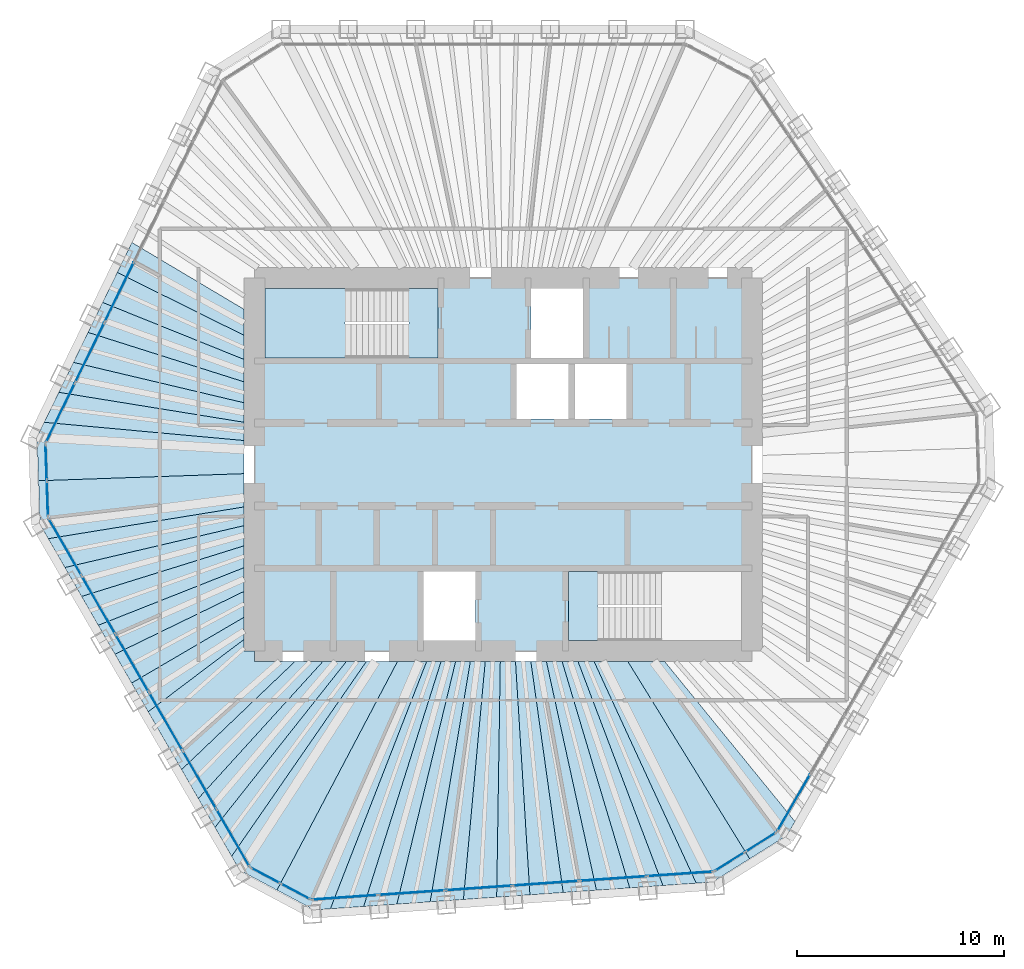
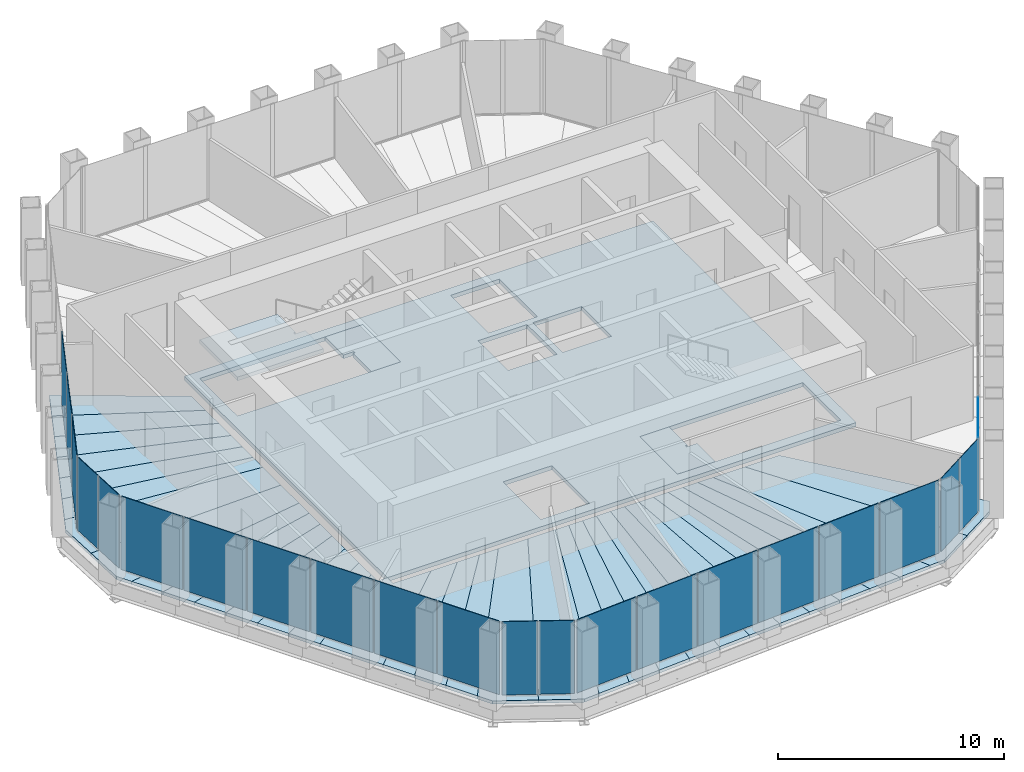
# One storey, part 9 of 14: 37 slabs, 22 plates, 9 elements without a shape of their own.
"""IFC4 building model written with IfcOpenShell, lengths in metres."""

import ifcopenshell
import ifcopenshell.guid

model = None  # the IFC model being written
_history = None  # IfcOwnerHistory: only IFC2X3 demands one
_inside = {}  # id of a spatial element -> (the spatial element, [elements in it])
_under = {}  # id of a project, library or spatial element -> (it, [spatial elements below it])
_declared = {}  # id of a project -> (the project, [libraries it declares])
_typed = {}  # id of a type object -> (the type object, [elements of that type])
_made_of = {}  # id of a material, layer set ... -> (it, [elements and type objects made of it])


def new_model(schema):
    """Start an empty IFC model of exactly this schema.

    Asked for "IFC4X3", IfcOpenShell would pick the latest addendum, in which some entities
    have other attributes; the version numbers below select the first issue.
    IFC2X3 requires an IfcOwnerHistory on every rooted entity: one is made here for all.
    """
    global model, _history
    if schema == "IFC4X3":
        model = ifcopenshell.file(schema_version=(4, 3, 0, 0))
    else:
        model = ifcopenshell.file(schema=schema)
    _inside.clear()
    _under.clear()
    _declared.clear()
    _typed.clear()
    _made_of.clear()
    _history = None
    if model.schema == "IFC2X3":
        org = make("IfcOrganization", Name="unknown")
        user = make(
            "IfcPersonAndOrganization",
            ThePerson=make("IfcPerson", FamilyName="unknown"),
            TheOrganization=org,
        )
        app = make(
            "IfcApplication",
            ApplicationDeveloper=org,
            Version="unknown",
            ApplicationFullName="unknown",
            ApplicationIdentifier="unknown",
        )
        _history = make(
            "IfcOwnerHistory",
            OwningUser=user,
            OwningApplication=app,
            ChangeAction="ADDED",
            CreationDate=0,
        )
    return model


def make(cls, **values):
    """One entity of the class cls with the attributes given. An attribute that is None is left unset."""
    return model.create_entity(
        cls, **{name: value for name, value in values.items() if value is not None}
    )


def rooted(cls, **values):
    """An entity with a GlobalId (a new one), such as an element, a storey or a relation."""
    return make(cls, GlobalId=ifcopenshell.guid.new(), OwnerHistory=_history, **values)


def si_unit(unit_type, name, prefix=None):
    """IfcSIUnit, for example si_unit("LENGTHUNIT", "METRE", prefix="MILLI")."""
    return make("IfcSIUnit", UnitType=unit_type, Prefix=prefix, Name=name)


def assignment(units):
    """IfcUnitAssignment: the units of a project."""
    return None if units is None else make("IfcUnitAssignment", Units=units)


def point(xyz):
    """IfcCartesianPoint."""
    return None if xyz is None else make("IfcCartesianPoint", Coordinates=xyz)


def direction(xyz):
    """IfcDirection."""
    return None if xyz is None else make("IfcDirection", DirectionRatios=xyz)


def frame(location, z_axis=None, x_axis=None):
    """IfcAxis2Placement3D, a coordinate frame: its origin and axes. An axis left out is left unset."""
    return make(
        "IfcAxis2Placement3D",
        Location=point(location),
        Axis=direction(z_axis),
        RefDirection=direction(x_axis),
    )


def frame_2d(location, x_axis=None):
    """IfcAxis2Placement2D, a coordinate frame in the plane: its origin and x axis."""
    return make(
        "IfcAxis2Placement2D", Location=point(location), RefDirection=direction(x_axis)
    )


def origin():
    """The frame at (0, 0, 0) with its axes left unset."""
    return frame((0.0, 0.0, 0.0))


def origin_2d():
    """The frame at (0, 0) in the plane with its x axis left unset."""
    return frame_2d((0.0, 0.0))


def place(relative_to, where):
    """IfcLocalPlacement: puts the frame where relative to a parent placement (None: the world)."""
    return make(
        "IfcLocalPlacement", PlacementRelTo=relative_to, RelativePlacement=where
    )


def context(
    kind, dimensions, precision=None, world=None, true_north=None, identifier=None
):
    """IfcGeometricRepresentationContext, for example the 3D "Model" context."""
    return make(
        "IfcGeometricRepresentationContext",
        ContextIdentifier=identifier,
        ContextType=kind,
        CoordinateSpaceDimension=dimensions,
        Precision=precision,
        WorldCoordinateSystem=world,
        TrueNorth=true_north,
    )


def subcontext(parent, identifier, kind, view, scale=None):
    """IfcGeometricRepresentationSubContext, for example "Body" below "Model"."""
    return make(
        "IfcGeometricRepresentationSubContext",
        ContextIdentifier=identifier,
        ContextType=kind,
        ParentContext=parent,
        TargetScale=scale,
        TargetView=view,
    )


def project(units=None, contexts=None):
    """IfcProject with its units and contexts."""
    return rooted(
        "IfcProject",
        Name="project",
        RepresentationContexts=contexts,
        UnitsInContext=assignment(units),
    )


def spatial(cls, under=None, at=None, **own):
    """A site, building, storey or space (cls), placed at a placement, below another one or the project."""
    s = rooted(cls, ObjectPlacement=at, **own)
    if under is not None:
        _under.setdefault(under.id(), (under, []))[1].append(s)
    return s


def polyline(points):
    """IfcPolyline through the points."""
    return make("IfcPolyline", Points=[point(p) for p in points])


def profile(cls, at=None, kind="AREA", **sizes):
    """A parametric profile (cls). Its sizes go by their IFC names, for example OverallWidth=200.0."""
    return make(cls, ProfileType=kind, Position=at, **sizes)


def rectangle(**sizes):
    """IfcRectangleProfileDef."""
    return profile("IfcRectangleProfileDef", **sizes)


def outline(outer, holes=None, kind="AREA"):
    """IfcArbitraryClosedProfileDef: a profile drawn as a closed curve; with holes, ...WithVoids."""
    if holes is None:
        return make("IfcArbitraryClosedProfileDef", ProfileType=kind, OuterCurve=outer)
    return make(
        "IfcArbitraryProfileDefWithVoids",
        ProfileType=kind,
        OuterCurve=outer,
        InnerCurves=holes,
    )


def extrude(swept, where, along, depth):
    """IfcExtrudedAreaSolid: the profile swept, set in the frame where, extruded along a direction by depth."""
    return make(
        "IfcExtrudedAreaSolid",
        SweptArea=swept,
        Position=where,
        ExtrudedDirection=direction(along),
        Depth=depth,
    )


def shape(context_of_items, identifier, shape_type, items):
    """IfcShapeRepresentation: the items that make up one representation, for example the "Body"."""
    return make(
        "IfcShapeRepresentation",
        ContextOfItems=context_of_items,
        RepresentationIdentifier=identifier,
        RepresentationType=shape_type,
        Items=items,
    )


def material(Name=None, Category=None):
    """IfcMaterial."""
    return make("IfcMaterial", Name=Name, Category=Category)


def layer(
    of_material, thickness, ventilated=None, Name=None, Category=None, Priority=None
):
    """IfcMaterialLayer: one layer of a wall or slab, of a material (None: an air gap)."""
    return make(
        "IfcMaterialLayer",
        Material=of_material,
        LayerThickness=thickness,
        IsVentilated=ventilated,
        Name=Name,
        Category=Category,
        Priority=Priority,
    )


def layer_set(layers, Name=None):
    """IfcMaterialLayerSet."""
    return make("IfcMaterialLayerSet", MaterialLayers=layers, LayerSetName=Name)


def made_of(thing, what):
    """Note that an element or type object is made of a material, layer set ...; save() writes the relation."""
    if what is not None:
        _made_of.setdefault(what.id(), (what, []))[1].append(thing)
    return thing


def type_object(cls, material=None, **own):
    """A type object (cls), such as IfcWallType, which elements share."""
    return made_of(rooted(cls, **own), material)


def element(
    cls,
    number,
    at=None,
    inside=None,
    cuts=None,
    type_object=None,
    material=None,
    context=None,
    identifier="Body",
    shape_type=None,
    held_by="IfcProductDefinitionShape",
    body=None,
    shapes=None,
    **own,
):
    """One element of the class cls, such as IfcWall. Its Tag is "e" and its number.

    at: its placement. inside: the storey or other place that contains it. cuts: it is an
    opening in that element (IfcRelVoidsElement). A single representation is given by context,
    identifier, shape_type and body (its items); several are given by shapes. held_by: the class
    of the entity that holds the representations. save() writes the other relations.
    """
    e = rooted(cls, Tag="e%d" % number, ObjectPlacement=at, **own)
    if body is not None:
        shapes = [shape(context, identifier, shape_type, body)]
    if shapes is not None:
        e.Representation = make(held_by, Representations=shapes)
    if inside is not None:
        _inside.setdefault(inside.id(), (inside, []))[1].append(e)
    if cuts is not None:
        rooted(
            "IfcRelVoidsElement", RelatingBuildingElement=cuts, RelatedOpeningElement=e
        )
    if type_object is not None:
        _typed.setdefault(type_object.id(), (type_object, []))[1].append(e)
    return made_of(e, material)


def aggregate(whole, parts):
    """IfcRelAggregates: a whole, such as a stair, and the parts it consists of."""
    return rooted("IfcRelAggregates", RelatingObject=whole, RelatedObjects=parts)


def save(model, path):
    """Write the relations noted so far, then the file.

    IfcRelAggregates (storeys below a building ...), IfcRelContainedInSpatialStructure (elements
    in a storey), IfcRelDefinesByType, IfcRelAssociatesMaterial and IfcRelDeclares: one each for
    every whole, place, type object, material and project.
    """
    for whole, parts in _under.values():
        aggregate(whole, parts)
    for where, things in _inside.values():
        rooted(
            "IfcRelContainedInSpatialStructure",
            RelatedElements=things,
            RelatingStructure=where,
        )
    for kind, things in _typed.values():
        rooted("IfcRelDefinesByType", RelatedObjects=things, RelatingType=kind)
    for what, things in _made_of.values():
        rooted("IfcRelAssociatesMaterial", RelatedObjects=things, RelatingMaterial=what)
    for by, libraries in _declared.values():
        rooted("IfcRelDeclares", RelatingContext=by, RelatedDefinitions=libraries)
    model.write(path)


model = new_model("IFC4")

# Units and contexts
model_context = context("Model", 3, precision=1e-05, world=origin(), true_north=direction((0.0, 1.0)))
body_context = subcontext(model_context, "Body", "Model", "MODEL_VIEW")
ifc_project = project(units=[si_unit("LENGTHUNIT", "METRE"), si_unit("AREAUNIT", "SQUARE_METRE"), si_unit("VOLUMEUNIT", "CUBIC_METRE"), si_unit("PLANEANGLEUNIT", "RADIAN"), si_unit("MASSUNIT", "GRAM", prefix="KILO")], contexts=[model_context])

# Site, building, storey
site_placement = place(None, origin())
site = spatial("IfcSite", under=ifc_project, at=site_placement, CompositionType="ELEMENT")
building_placement = place(site_placement, origin())
building = spatial("IfcBuilding", under=site, at=building_placement, Name="Qingtian Harvest Tower", CompositionType="ELEMENT")
storey_placement = place(building_placement, frame((0.0, 0.0, 283.0)))
storey = spatial("IfcBuildingStorey", under=building, at=storey_placement, Name="L62", CompositionType="ELEMENT", Elevation=283.0)

# Slabs
ifc_material_1 = material(Name="Concrete fc' 35 MPa", Category="concrete")
ifc_layer_1 = layer(ifc_material_1, 0.169921875)
ifc_layer_set_1 = layer_set([ifc_layer_1], Name="Composite floor slab FS17 170")
slab_type_1 = type_object("IfcSlabType", Name="Composite floor slab FS17 170", PredefinedType="FLOOR", material=ifc_layer_set_1)
slab_1_placement = place(storey_placement, frame((0.0, 0.0, -0.169921875)))
element("IfcSlab", 1, at=slab_1_placement, inside=storey, type_object=slab_type_1, Name="Floor slab L62 panel D01", PredefinedType="FLOOR", context=body_context, shape_type="SweptSolid", body=[
    extrude(outline(polyline([(-22.422607421875, -0.783203125), (-12.5, -0.4404296875), (-12.5, -2.044921875), (-21.95751953125, -3.578369140625), (-22.348876953125, -2.90087890625), (-22.422607421875, -0.783203125)])), origin(), (0.0, 0.0, 1.0), 0.169921875),
])
slab_2_placement = place(storey_placement, frame((0.0, 0.0, -0.169921875)))
element("IfcSlab", 2, at=slab_2_placement, inside=storey, type_object=slab_type_1, Name="Floor slab L62 panel D02", PredefinedType="FLOOR", context=body_context, shape_type="SweptSolid", body=[
    extrude(outline(polyline([(-12.5, -2.94677734375), (-21.153076171875, -4.9716796875), (-21.95751953125, -3.578369140625), (-12.5, -2.044921875), (-12.5, -2.94677734375)])), origin(), (0.0, 0.0, 1.0), 0.169921875),
])
slab_3_placement = place(storey_placement, frame((0.0, 0.0, -0.169921875)))
element("IfcSlab", 3, at=slab_3_placement, inside=storey, type_object=slab_type_1, Name="Floor slab L62 panel D03", PredefinedType="FLOOR", context=body_context, shape_type="SweptSolid", body=[
    extrude(outline(polyline([(-12.5, -3.919921875), (-20.3486328125, -6.365234375), (-21.153076171875, -4.9716796875), (-12.5, -2.94677734375), (-12.5, -3.919921875)])), origin(), (0.0, 0.0, 1.0), 0.169921875),
])
slab_4_placement = place(storey_placement, frame((0.0, 0.0, -0.169921875)))
element("IfcSlab", 4, at=slab_4_placement, inside=storey, type_object=slab_type_1, Name="Floor slab L62 panel D04", PredefinedType="FLOOR", context=body_context, shape_type="SweptSolid", body=[
    extrude(outline(polyline([(-12.5, -4.973388671875), (-19.544189453125, -7.758544921875), (-20.3486328125, -6.365234375), (-12.5, -3.919921875), (-12.5, -4.973388671875)])), origin(), (0.0, 0.0, 1.0), 0.169921875),
])
slab_5_placement = place(storey_placement, frame((0.0, 0.0, -0.169921875)))
element("IfcSlab", 5, at=slab_5_placement, inside=storey, type_object=slab_type_1, Name="Floor slab L62 panel D05", PredefinedType="FLOOR", context=body_context, shape_type="SweptSolid", body=[
    extrude(outline(polyline([(-12.5, -6.1171875), (-18.73974609375, -9.15185546875), (-19.544189453125, -7.758544921875), (-12.5, -4.973388671875), (-12.5, -6.1171875)])), origin(), (0.0, 0.0, 1.0), 0.169921875),
])
slab_6_placement = place(storey_placement, frame((0.0, 0.0, -0.169921875)))
element("IfcSlab", 6, at=slab_6_placement, inside=storey, type_object=slab_type_1, Name="Floor slab L62 panel D06", PredefinedType="FLOOR", context=body_context, shape_type="SweptSolid", body=[
    extrude(outline(polyline([(-12.5, -7.364013671875), (-17.93505859375, -10.54541015625), (-18.73974609375, -9.15185546875), (-12.5, -6.1171875), (-12.5, -7.364013671875)])), origin(), (0.0, 0.0, 1.0), 0.169921875),
])
slab_7_placement = place(storey_placement, frame((0.0, 0.0, -0.169921875)))
element("IfcSlab", 7, at=slab_7_placement, inside=storey, type_object=slab_type_1, Name="Floor slab L62 panel D07", PredefinedType="FLOOR", context=body_context, shape_type="SweptSolid", body=[
    extrude(outline(polyline([(-12.5, -8.432373046875), (-17.134521484375, -11.931884765625), (-17.93505859375, -10.54541015625), (-12.5, -7.364013671875), (-12.5, -8.432373046875)])), origin(), (0.0, 0.0, 1.0), 0.169921875),
])
slab_8_placement = place(storey_placement, frame((0.0, 0.0, -0.169921875)))
element("IfcSlab", 8, at=slab_8_placement, inside=storey, type_object=slab_type_1, Name="Floor slab L62 panel D09", PredefinedType="FLOOR", context=body_context, shape_type="SweptSolid", body=[
    extrude(outline(polyline([(-15.522216796875, -14.724609375), (-17.134521484375, -11.931884765625), (-12.5, -8.432373046875), (-12.5, -9.0), (-12.0, -9.0), (-12.0, -9.5), (-10.048828125, -9.5), (-15.522216796875, -14.724609375)])), origin(), (0.0, 0.0, 1.0), 0.169921875),
])
slab_9_placement = place(storey_placement, frame((0.0, 0.0, -0.169921875)))
element("IfcSlab", 9, at=slab_9_placement, inside=storey, type_object=slab_type_1, Name="Floor slab L62 panel D10", PredefinedType="FLOOR", context=body_context, shape_type="SweptSolid", body=[
    extrude(outline(polyline([(-8.70068359375, -9.5), (-14.7177734375, -16.1181640625), (-15.522216796875, -14.724609375), (-10.048828125, -9.5), (-8.70068359375, -9.5)])), origin(), (0.0, 0.0, 1.0), 0.169921875),
])
slab_10_placement = place(storey_placement, frame((0.0, 0.0, -0.169921875)))
element("IfcSlab", 10, at=slab_10_placement, inside=storey, type_object=slab_type_1, Name="Floor slab L62 panel D11", PredefinedType="FLOOR", context=body_context, shape_type="SweptSolid", body=[
    extrude(outline(polyline([(-7.568359375, -9.5), (-13.9130859375, -17.51171875), (-14.7177734375, -16.1181640625), (-8.70068359375, -9.5), (-7.568359375, -9.5)])), origin(), (0.0, 0.0, 1.0), 0.169921875),
])
slab_11_placement = place(storey_placement, frame((0.0, 0.0, -0.169921875)))
element("IfcSlab", 11, at=slab_11_placement, inside=storey, type_object=slab_type_1, Name="Floor slab L62 panel D12", PredefinedType="FLOOR", context=body_context, shape_type="SweptSolid", body=[
    extrude(outline(polyline([(-6.603515625, -9.5), (-13.108642578125, -18.905029296875), (-13.9130859375, -17.51171875), (-7.568359375, -9.5), (-6.603515625, -9.5)])), origin(), (0.0, 0.0, 1.0), 0.169921875),
])
slab_12_placement = place(storey_placement, frame((0.0, 0.0, -0.169921875)))
element("IfcSlab", 12, at=slab_12_placement, inside=storey, type_object=slab_type_1, Name="Floor slab L62 panel D13", PredefinedType="FLOOR", context=body_context, shape_type="SweptSolid", body=[
    extrude(outline(polyline([(-6.603515625, -9.5), (-5.10009765625, -9.5), (-10.921142578125, -20.537841796875), (-12.717529296875, -19.582763671875), (-13.108642578125, -18.905029296875), (-6.603515625, -9.5)])), origin(), (0.0, 0.0, 1.0), 0.169921875),
])
slab_13_placement = place(storey_placement, frame((0.0, 0.0, -0.169921875)))
element("IfcSlab", 13, at=slab_13_placement, inside=storey, type_object=slab_type_1, Name="Floor slab L62 panel D14", PredefinedType="FLOOR", context=body_context, shape_type="SweptSolid", body=[
    extrude(outline(polyline([(-5.10009765625, -9.5), (-3.696044921875, -9.5), (-8.343017578125, -21.439208984375), (-9.123291015625, -21.49365234375), (-10.921142578125, -20.537841796875), (-5.10009765625, -9.5)])), origin(), (0.0, 0.0, 1.0), 0.169921875),
])
slab_14_placement = place(storey_placement, frame((0.0, 0.0, -0.169921875)))
element("IfcSlab", 14, at=slab_14_placement, inside=storey, type_object=slab_type_1, Name="Floor slab L62 panel D15", PredefinedType="FLOOR", context=body_context, shape_type="SweptSolid", body=[
    extrude(outline(polyline([(-3.00048828125, -9.5), (-6.738037109375, -21.326904296875), (-8.343017578125, -21.439208984375), (-3.696044921875, -9.5), (-3.00048828125, -9.5)])), origin(), (0.0, 0.0, 1.0), 0.169921875),
])
slab_15_placement = place(storey_placement, frame((0.0, 0.0, -0.169921875)))
element("IfcSlab", 15, at=slab_15_placement, inside=storey, type_object=slab_type_1, Name="Floor slab L62 panel D16", PredefinedType="FLOOR", context=body_context, shape_type="SweptSolid", body=[
    extrude(outline(polyline([(-2.297607421875, -9.5), (-5.133056640625, -21.21484375), (-6.738037109375, -21.326904296875), (-3.00048828125, -9.5), (-2.297607421875, -9.5)])), origin(), (0.0, 0.0, 1.0), 0.169921875),
])
slab_16_placement = place(storey_placement, frame((0.0, 0.0, -0.169921875)))
element("IfcSlab", 16, at=slab_16_placement, inside=storey, type_object=slab_type_1, Name="Floor slab L62 panel D17", PredefinedType="FLOOR", context=body_context, shape_type="SweptSolid", body=[
    extrude(outline(polyline([(-1.58740234375, -9.5), (-3.528076171875, -21.1025390625), (-5.133056640625, -21.21484375), (-2.297607421875, -9.5), (-1.58740234375, -9.5)])), origin(), (0.0, 0.0, 1.0), 0.169921875),
])
slab_17_placement = place(storey_placement, frame((0.0, 0.0, -0.169921875)))
element("IfcSlab", 17, at=slab_17_placement, inside=storey, type_object=slab_type_1, Name="Floor slab L62 panel D18", PredefinedType="FLOOR", context=body_context, shape_type="SweptSolid", body=[
    extrude(outline(polyline([(-0.869384765625, -9.5), (-1.9228515625, -20.990234375), (-3.528076171875, -21.1025390625), (-1.58740234375, -9.5), (-0.869384765625, -9.5)])), origin(), (0.0, 0.0, 1.0), 0.169921875),
])
slab_18_placement = place(storey_placement, frame((0.0, 0.0, -0.169921875)))
element("IfcSlab", 18, at=slab_18_placement, inside=storey, type_object=slab_type_1, Name="Floor slab L62 panel D19", PredefinedType="FLOOR", context=body_context, shape_type="SweptSolid", body=[
    extrude(outline(polyline([(-0.143798828125, -9.5), (-0.31787109375, -20.8779296875), (-1.9228515625, -20.990234375), (-0.869384765625, -9.5), (-0.143798828125, -9.5)])), origin(), (0.0, 0.0, 1.0), 0.169921875),
])
slab_19_placement = place(storey_placement, frame((0.0, 0.0, -0.169921875)))
element("IfcSlab", 19, at=slab_19_placement, inside=storey, type_object=slab_type_1, Name="Floor slab L62 panel D20", PredefinedType="FLOOR", context=body_context, shape_type="SweptSolid", body=[
    extrude(outline(polyline([(0.58984375, -9.5), (1.287109375, -20.765869140625), (-0.31787109375, -20.8779296875), (-0.143798828125, -9.5), (0.58984375, -9.5)])), origin(), (0.0, 0.0, 1.0), 0.169921875),
])
slab_20_placement = place(storey_placement, frame((0.0, 0.0, -0.169921875)))
element("IfcSlab", 20, at=slab_20_placement, inside=storey, type_object=slab_type_1, Name="Floor slab L62 panel D21", PredefinedType="FLOOR", context=body_context, shape_type="SweptSolid", body=[
    extrude(outline(polyline([(1.331298828125, -9.5), (2.89208984375, -20.653564453125), (1.287109375, -20.765869140625), (0.58984375, -9.5), (1.331298828125, -9.5)])), origin(), (0.0, 0.0, 1.0), 0.169921875),
])
slab_21_placement = place(storey_placement, frame((0.0, 0.0, -0.169921875)))
element("IfcSlab", 21, at=slab_21_placement, inside=storey, type_object=slab_type_1, Name="Floor slab L62 panel D22", PredefinedType="FLOOR", context=body_context, shape_type="SweptSolid", body=[
    extrude(outline(polyline([(2.080810546875, -9.5), (4.4970703125, -20.541259765625), (2.89208984375, -20.653564453125), (1.331298828125, -9.5), (2.080810546875, -9.5)])), origin(), (0.0, 0.0, 1.0), 0.169921875),
])
slab_22_placement = place(storey_placement, frame((0.0, 0.0, -0.169921875)))
element("IfcSlab", 22, at=slab_22_placement, inside=storey, type_object=slab_type_1, Name="Floor slab L62 panel D23", PredefinedType="FLOOR", context=body_context, shape_type="SweptSolid", body=[
    extrude(outline(polyline([(2.838623046875, -9.5), (6.10205078125, -20.42919921875), (4.4970703125, -20.541259765625), (2.080810546875, -9.5), (2.838623046875, -9.5)])), origin(), (0.0, 0.0, 1.0), 0.169921875),
])
slab_23_placement = place(storey_placement, frame((0.0, 0.0, -0.169921875)))
element("IfcSlab", 23, at=slab_23_placement, inside=storey, type_object=slab_type_1, Name="Floor slab L62 panel D24", PredefinedType="FLOOR", context=body_context, shape_type="SweptSolid", body=[
    extrude(outline(polyline([(3.604736328125, -9.5), (7.70703125, -20.31689453125), (6.10205078125, -20.42919921875), (2.838623046875, -9.5), (3.604736328125, -9.5)])), origin(), (0.0, 0.0, 1.0), 0.169921875),
])
slab_24_placement = place(storey_placement, frame((0.0, 0.0, -0.169921875)))
element("IfcSlab", 24, at=slab_24_placement, inside=storey, type_object=slab_type_1, Name="Floor slab L62 panel D25", PredefinedType="FLOOR", context=body_context, shape_type="SweptSolid", body=[
    extrude(outline(polyline([(4.379638671875, -9.5), (9.312255859375, -20.20458984375), (7.70703125, -20.31689453125), (3.604736328125, -9.5), (4.379638671875, -9.5)])), origin(), (0.0, 0.0, 1.0), 0.169921875),
])
slab_25_placement = place(storey_placement, frame((0.0, 0.0, -0.169921875)))
element("IfcSlab", 25, at=slab_25_placement, inside=storey, type_object=slab_type_1, Name="Floor slab L62 panel D26", PredefinedType="FLOOR", context=body_context, shape_type="SweptSolid", body=[
    extrude(outline(polyline([(4.379638671875, -9.5), (6.0087890625, -9.5), (11.890380859375, -19.026611328125), (10.09228515625, -20.150146484375), (9.312255859375, -20.20458984375), (4.379638671875, -9.5)])), origin(), (0.0, 0.0, 1.0), 0.169921875),
])
slab_26_placement = place(storey_placement, frame((0.0, 0.0, -0.169921875)))
element("IfcSlab", 26, at=slab_26_placement, inside=storey, type_object=slab_type_1, Name="Floor slab L62 panel D27", PredefinedType="FLOOR", context=body_context, shape_type="SweptSolid", body=[
    extrude(outline(polyline([(6.0087890625, -9.5), (7.78515625, -9.5), (14.077880859375, -17.2265625), (13.6865234375, -17.904296875), (11.890380859375, -19.026611328125), (6.0087890625, -9.5)])), origin(), (0.0, 0.0, 1.0), 0.169921875),
])
slab_27_placement = place(storey_placement, frame((0.0, 0.0, -0.169921875)))
element("IfcSlab", 27, at=slab_27_placement, inside=storey, type_object=slab_type_1, Name="Floor slab L62 panel D72", PredefinedType="FLOOR", context=body_context, shape_type="SweptSolid", body=[
    extrude(outline(polyline([(-12.5, 6.23095703125), (-18.627197265625, 9.2685546875), (-17.921875, 10.714599609375), (-12.5, 7.48583984375), (-12.5, 6.23095703125)])), origin(), (0.0, 0.0, 1.0), 0.169921875),
])
slab_28_placement = place(storey_placement, frame((0.0, 0.0, -0.169921875)))
element("IfcSlab", 28, at=slab_28_placement, inside=storey, type_object=slab_type_1, Name="Floor slab L62 panel D73", PredefinedType="FLOOR", context=body_context, shape_type="SweptSolid", body=[
    extrude(outline(polyline([(-12.5, 5.06787109375), (-19.33251953125, 7.822509765625), (-18.627197265625, 9.2685546875), (-12.5, 6.23095703125), (-12.5, 5.06787109375)])), origin(), (0.0, 0.0, 1.0), 0.169921875),
])
slab_29_placement = place(storey_placement, frame((0.0, 0.0, -0.169921875)))
element("IfcSlab", 29, at=slab_29_placement, inside=storey, type_object=slab_type_1, Name="Floor slab L62 panel D74", PredefinedType="FLOOR", context=body_context, shape_type="SweptSolid", body=[
    extrude(outline(polyline([(-12.5, 3.986572265625), (-20.037841796875, 6.376220703125), (-19.33251953125, 7.822509765625), (-12.5, 5.06787109375), (-12.5, 3.986572265625)])), origin(), (0.0, 0.0, 1.0), 0.169921875),
])
slab_30_placement = place(storey_placement, frame((0.0, 0.0, -0.169921875)))
element("IfcSlab", 30, at=slab_30_placement, inside=storey, type_object=slab_type_1, Name="Floor slab L62 panel D75", PredefinedType="FLOOR", context=body_context, shape_type="SweptSolid", body=[
    extrude(outline(polyline([(-12.5, 2.97900390625), (-20.7431640625, 4.93017578125), (-20.037841796875, 6.376220703125), (-12.5, 3.986572265625), (-12.5, 2.97900390625)])), origin(), (0.0, 0.0, 1.0), 0.169921875),
])
slab_31_placement = place(storey_placement, frame((0.0, 0.0, -0.169921875)))
element("IfcSlab", 31, at=slab_31_placement, inside=storey, type_object=slab_type_1, Name="Floor slab L62 panel D76", PredefinedType="FLOOR", context=body_context, shape_type="SweptSolid", body=[
    extrude(outline(polyline([(-12.5, 2.037841796875), (-21.448486328125, 3.484130859375), (-20.7431640625, 4.93017578125), (-12.5, 2.97900390625), (-12.5, 2.037841796875)])), origin(), (0.0, 0.0, 1.0), 0.169921875),
])
slab_32_placement = place(storey_placement, frame((0.0, 0.0, -0.169921875)))
element("IfcSlab", 32, at=slab_32_placement, inside=storey, type_object=slab_type_1, Name="Floor slab L62 panel D77", PredefinedType="FLOOR", context=body_context, shape_type="SweptSolid", body=[
    extrude(outline(polyline([(-12.5, 1.156494140625), (-22.15380859375, 2.037841796875), (-21.448486328125, 3.484130859375), (-12.5, 2.037841796875), (-12.5, 1.156494140625)])), origin(), (0.0, 0.0, 1.0), 0.169921875),
])
slab_33_placement = place(storey_placement, frame((0.0, 0.0, -0.169921875)))
element("IfcSlab", 33, at=slab_33_placement, inside=storey, type_object=slab_type_1, Name="Floor slab L62 panel D78", PredefinedType="FLOOR", context=body_context, shape_type="SweptSolid", body=[
    extrude(outline(polyline([(-12.5, 1.156494140625), (-12.5, -0.4404296875), (-22.422607421875, -0.783203125), (-22.49658203125, 1.334716796875), (-22.15380859375, 2.037841796875), (-12.5, 1.156494140625)])), origin(), (0.0, 0.0, 1.0), 0.169921875),
])
ifc_material_2 = material(Name="Concrete fc' 35 MPa", Category="concrete")
ifc_layer_2 = layer(ifc_material_2, 0.219970703125)
ifc_layer_set_2 = layer_set([ifc_layer_2], Name="Core floor slab CS22 220")
slab_type_2 = type_object("IfcSlabType", Name="Core floor slab CS22 220", PredefinedType="FLOOR", material=ifc_layer_set_2)
slab_34_placement = place(storey_placement, frame((0.0, 0.0, -0.219970703125)))
element("IfcSlab", 34, at=slab_34_placement, inside=storey, type_object=slab_type_2, Name="Core floor slab L62", PredefinedType="FLOOR", context=body_context, shape_type="SweptSolid", body=[
    extrude(outline(polyline([(-12.0, -9.0), (12.0, -9.0), (12.0, 9.0), (-12.0, 9.0), (-12.0, -9.0)]), holes=[polyline([(-11.5, 5.14990234375), (-3.14990234375, 5.14990234375), (-3.14990234375, 8.5), (-11.5, 8.5), (-11.5, 5.14990234375)]), polyline([(3.14990234375, -8.5), (11.5, -8.5), (11.5, -5.14990234375), (3.14990234375, -5.14990234375), (3.14990234375, -8.5)]), polyline([(1.35009765625, 5.14990234375), (3.85009765625, 5.14990234375), (3.85009765625, 8.5), (1.35009765625, 8.5), (1.35009765625, 5.14990234375)]), polyline([(-3.85009765625, -8.5), (-1.35009765625, -8.5), (-1.35009765625, -5.14990234375), (-3.85009765625, -5.14990234375), (-3.85009765625, -8.5)]), polyline([(0.64990234375, 2.199951171875), (3.14990234375, 2.199951171875), (3.14990234375, 4.85009765625), (0.64990234375, 4.85009765625), (0.64990234375, 2.199951171875)]), polyline([(3.449951171875, 2.199951171875), (5.949951171875, 2.199951171875), (5.949951171875, 4.85009765625), (3.449951171875, 4.85009765625), (3.449951171875, 2.199951171875)])]), origin(), (0.0, 0.0, 1.0), 0.219970703125),
])

# Curtain wall, plate
ifc_material_3 = material(Name="Bronze-anodised aluminium curtain wall", Category="aluminium")
curtain_wall_type = type_object("IfcCurtainWallType", Name="Curtain wall CW5 upper office", PredefinedType="USERDEFINED", material=ifc_material_3)
curtain_wall_1_placement = place(storey_placement, origin())
curtain_wall_1 = element("IfcCurtainWall", 35, at=curtain_wall_1_placement, inside=storey, type_object=curtain_wall_type, Name="Curtain wall CW5 L62 SE0-5", ObjectType="RECESSED CURTAIN WALL", PredefinedType="USERDEFINED")
ifc_material_4 = material(Name="Bronze-tinted laminated insulating glass", Category="glass")
ifc_layer_3 = layer(ifc_material_4, 0.030029296875)
ifc_layer_set_3 = layer_set([ifc_layer_3], Name="Glazed panel CWP tinted IGU")
plate_type = type_object("IfcPlateType", Name="Glazed panel CWP tinted IGU", PredefinedType="CURTAIN_PANEL", material=ifc_layer_set_3)
plate_1_placement = place(storey_placement, frame((14.017578125, -16.321044921875, 0.06494140625), z_axis=(0.0, 0.0, 1.0), x_axis=(-0.5, -0.866025403784, 0.0)))
plate_1 = element("IfcPlate", 36, at=plate_1_placement, type_object=plate_type, Name="CW5 panel 6.1", PredefinedType="CURTAIN_PANEL", context=body_context, shape_type="SweptSolid", body=[
    extrude(rectangle(XDim=3.150634765625, YDim=0.030029296875, at=origin_2d()), origin(), (0.0, 0.0, 1.0), 3.965087890625),
])
aggregate(curtain_wall_1, [plate_1])

# Curtain wall, plates
curtain_wall_2_placement = place(storey_placement, origin())
curtain_wall_2 = element("IfcCurtainWall", 37, at=curtain_wall_2_placement, inside=storey, type_object=curtain_wall_type, Name="Curtain wall CW5 L62 SEC", ObjectType="RECESSED CURTAIN WALL", PredefinedType="USERDEFINED")
plate_2_placement = place(storey_placement, frame((12.42431640625, -18.224609375, 0.06494140625), z_axis=(0.0, 0.0, 1.0), x_axis=(-0.848048096156, -0.529919264233, 0.0)))
plate_2 = element("IfcPlate", 38, at=plate_2_placement, type_object=plate_type, Name="CW5 panel 1.1", PredefinedType="CURTAIN_PANEL", context=body_context, shape_type="SweptSolid", body=[
    extrude(rectangle(XDim=1.69287109375, YDim=0.030029296875, at=origin_2d()), origin(), (0.0, 0.0, 1.0), 3.965087890625),
])
plate_3_placement = place(storey_placement, frame((10.93359375, -19.156005859375, 0.06494140625), z_axis=(0.0, 0.0, 1.0), x_axis=(-0.848048096156, -0.529919264233, 0.0)))
plate_3 = element("IfcPlate", 39, at=plate_3_placement, type_object=plate_type, Name="CW5 panel 2.1", PredefinedType="CURTAIN_PANEL", context=body_context, shape_type="SweptSolid", body=[
    extrude(rectangle(XDim=1.69287109375, YDim=0.030029296875, at=origin_2d()), origin(), (0.0, 0.0, 1.0), 3.965087890625),
])
aggregate(curtain_wall_2, [plate_2, plate_3])

curtain_wall_3_placement = place(storey_placement, origin())
curtain_wall_3 = element("IfcCurtainWall", 40, at=curtain_wall_3_placement, inside=storey, type_object=curtain_wall_type, Name="Curtain wall CW5 L62 S0-5", ObjectType="RECESSED CURTAIN WALL", PredefinedType="USERDEFINED")
plate_4_placement = place(storey_placement, frame((8.5244140625, -19.75341796875, 0.06494140625), z_axis=(0.0, 0.0, 1.0), x_axis=(-0.99756405026, -0.069756473744, 0.0)))
plate_4 = element("IfcPlate", 41, at=plate_4_placement, type_object=plate_type, Name="CW5 panel 1.1", PredefinedType="CURTAIN_PANEL", context=body_context, shape_type="SweptSolid", body=[
    extrude(rectangle(XDim=3.150634765625, YDim=0.030029296875, at=origin_2d()), origin(), (0.0, 0.0, 1.0), 3.965087890625),
])
plate_5_placement = place(storey_placement, frame((5.300537109375, -19.97900390625, 0.06494140625), z_axis=(0.0, 0.0, 1.0), x_axis=(-0.99756405026, -0.069756473744, 0.0)))
plate_5 = element("IfcPlate", 42, at=plate_5_placement, type_object=plate_type, Name="CW5 panel 2.1", PredefinedType="CURTAIN_PANEL", context=body_context, shape_type="SweptSolid", body=[
    extrude(rectangle(XDim=3.18310546875, YDim=0.030029296875, at=origin_2d()), origin(), (0.0, 0.0, 1.0), 3.965087890625),
])
plate_6_placement = place(storey_placement, frame((2.060302734375, -20.20556640625, 0.06494140625), z_axis=(0.0, 0.0, 1.0), x_axis=(-0.99756405026, -0.069756473744, 0.0)))
plate_6 = element("IfcPlate", 43, at=plate_6_placement, type_object=plate_type, Name="CW5 panel 3.1", PredefinedType="CURTAIN_PANEL", context=body_context, shape_type="SweptSolid", body=[
    extrude(rectangle(XDim=3.18310546875, YDim=0.030029296875, at=origin_2d()), origin(), (0.0, 0.0, 1.0), 3.965087890625),
])
plate_7_placement = place(storey_placement, frame((-1.1796875, -20.43212890625, 0.06494140625), z_axis=(0.0, 0.0, 1.0), x_axis=(-0.99756405026, -0.069756473744, 0.0)))
plate_7 = element("IfcPlate", 44, at=plate_7_placement, type_object=plate_type, Name="CW5 panel 4.1", PredefinedType="CURTAIN_PANEL", context=body_context, shape_type="SweptSolid", body=[
    extrude(rectangle(XDim=3.18310546875, YDim=0.030029296875, at=origin_2d()), origin(), (0.0, 0.0, 1.0), 3.965087890625),
])
plate_8_placement = place(storey_placement, frame((-4.419921875, -20.65869140625, 0.06494140625), z_axis=(0.0, 0.0, 1.0), x_axis=(-0.99756405026, -0.069756473744, 0.0)))
plate_8 = element("IfcPlate", 45, at=plate_8_placement, type_object=plate_type, Name="CW5 panel 5.1", PredefinedType="CURTAIN_PANEL", context=body_context, shape_type="SweptSolid", body=[
    extrude(rectangle(XDim=3.18310546875, YDim=0.030029296875, at=origin_2d()), origin(), (0.0, 0.0, 1.0), 3.965087890625),
])
plate_9_placement = place(storey_placement, frame((-7.643798828125, -20.884033203125, 0.06494140625), z_axis=(0.0, 0.0, 1.0), x_axis=(-0.99756405026, -0.069756473744, 0.0)))
plate_9 = element("IfcPlate", 46, at=plate_9_placement, type_object=plate_type, Name="CW5 panel 6.1", PredefinedType="CURTAIN_PANEL", context=body_context, shape_type="SweptSolid", body=[
    extrude(rectangle(XDim=3.150634765625, YDim=0.030029296875, at=origin_2d()), origin(), (0.0, 0.0, 1.0), 3.965087890625),
])
aggregate(curtain_wall_3, [plate_4, plate_5, plate_6, plate_7, plate_8, plate_9])

curtain_wall_4_placement = place(storey_placement, origin())
curtain_wall_4 = element("IfcCurtainWall", 47, at=curtain_wall_4_placement, inside=storey, type_object=curtain_wall_type, Name="Curtain wall CW5 L62 SC", ObjectType="RECESSED CURTAIN WALL", PredefinedType="USERDEFINED")
plate_10_placement = place(storey_placement, frame((-10.029296875, -20.60009765625, 0.06494140625), z_axis=(0.0, 0.0, 1.0), x_axis=(-0.882947592859, 0.469471562786, 0.0)))
plate_10 = element("IfcPlate", 48, at=plate_10_placement, type_object=plate_type, Name="CW5 panel 1.1", PredefinedType="CURTAIN_PANEL", context=body_context, shape_type="SweptSolid", body=[
    extrude(rectangle(XDim=1.56689453125, YDim=0.030029296875, at=origin_2d()), origin(), (0.0, 0.0, 1.0), 3.965087890625),
])
plate_11_placement = place(storey_placement, frame((-11.469970703125, -19.833984375, 0.06494140625), z_axis=(0.0, 0.0, 1.0), x_axis=(-0.882947592859, 0.469471562786, 0.0)))
plate_11 = element("IfcPlate", 49, at=plate_11_placement, type_object=plate_type, Name="CW5 panel 2.1", PredefinedType="CURTAIN_PANEL", context=body_context, shape_type="SweptSolid", body=[
    extrude(rectangle(XDim=1.56689453125, YDim=0.030029296875, at=origin_2d()), origin(), (0.0, 0.0, 1.0), 3.965087890625),
])
aggregate(curtain_wall_4, [plate_10, plate_11])

curtain_wall_5_placement = place(storey_placement, origin())
curtain_wall_5 = element("IfcCurtainWall", 50, at=curtain_wall_5_placement, inside=storey, type_object=curtain_wall_type, Name="Curtain wall CW5 L62 SW0-5", ObjectType="RECESSED CURTAIN WALL", PredefinedType="USERDEFINED")
plate_12_placement = place(storey_placement, frame((-13.039306640625, -18.01513671875, 0.06494140625), z_axis=(0.0, 0.0, 1.0), x_axis=(-0.5, 0.866025403784, 0.0)))
plate_12 = element("IfcPlate", 51, at=plate_12_placement, type_object=plate_type, Name="CW5 panel 1.1", PredefinedType="CURTAIN_PANEL", context=body_context, shape_type="SweptSolid", body=[
    extrude(rectangle(XDim=3.150634765625, YDim=0.030029296875, at=origin_2d()), origin(), (0.0, 0.0, 1.0), 3.965087890625),
])
plate_13_placement = place(storey_placement, frame((-14.6552734375, -15.216552734375, 0.06494140625), z_axis=(0.0, 0.0, 1.0), x_axis=(-0.5, 0.866025403784, 0.0)))
plate_13 = element("IfcPlate", 52, at=plate_13_placement, type_object=plate_type, Name="CW5 panel 2.1", PredefinedType="CURTAIN_PANEL", context=body_context, shape_type="SweptSolid", body=[
    extrude(rectangle(XDim=3.18310546875, YDim=0.030029296875, at=origin_2d()), origin(), (0.0, 0.0, 1.0), 3.965087890625),
])
plate_14_placement = place(storey_placement, frame((-16.279296875, -12.403564453125, 0.06494140625), z_axis=(0.0, 0.0, 1.0), x_axis=(-0.5, 0.866025403784, 0.0)))
plate_14 = element("IfcPlate", 53, at=plate_14_placement, type_object=plate_type, Name="CW5 panel 3.1", PredefinedType="CURTAIN_PANEL", context=body_context, shape_type="SweptSolid", body=[
    extrude(rectangle(XDim=3.18310546875, YDim=0.030029296875, at=origin_2d()), origin(), (0.0, 0.0, 1.0), 3.965087890625),
])
plate_15_placement = place(storey_placement, frame((-17.9033203125, -9.590576171875, 0.06494140625), z_axis=(0.0, 0.0, 1.0), x_axis=(-0.5, 0.866025403784, 0.0)))
plate_15 = element("IfcPlate", 54, at=plate_15_placement, type_object=plate_type, Name="CW5 panel 4.1", PredefinedType="CURTAIN_PANEL", context=body_context, shape_type="SweptSolid", body=[
    extrude(rectangle(XDim=3.18310546875, YDim=0.030029296875, at=origin_2d()), origin(), (0.0, 0.0, 1.0), 3.965087890625),
])
plate_16_placement = place(storey_placement, frame((-19.52734375, -6.77783203125, 0.06494140625), z_axis=(0.0, 0.0, 1.0), x_axis=(-0.5, 0.866025403784, 0.0)))
plate_16 = element("IfcPlate", 55, at=plate_16_placement, type_object=plate_type, Name="CW5 panel 5.1", PredefinedType="CURTAIN_PANEL", context=body_context, shape_type="SweptSolid", body=[
    extrude(rectangle(XDim=3.18310546875, YDim=0.030029296875, at=origin_2d()), origin(), (0.0, 0.0, 1.0), 3.965087890625),
])
plate_17_placement = place(storey_placement, frame((-21.14306640625, -3.97900390625, 0.06494140625), z_axis=(0.0, 0.0, 1.0), x_axis=(-0.5, 0.866025403784, 0.0)))
plate_17 = element("IfcPlate", 56, at=plate_17_placement, type_object=plate_type, Name="CW5 panel 6.1", PredefinedType="CURTAIN_PANEL", context=body_context, shape_type="SweptSolid", body=[
    extrude(rectangle(XDim=3.150634765625, YDim=0.030029296875, at=origin_2d()), origin(), (0.0, 0.0, 1.0), 3.965087890625),
])
aggregate(curtain_wall_5, [plate_12, plate_13, plate_14, plate_15, plate_16, plate_17])

curtain_wall_6_placement = place(storey_placement, origin())
curtain_wall_6 = element("IfcCurtainWall", 57, at=curtain_wall_6_placement, inside=storey, type_object=curtain_wall_type, Name="Curtain wall CW5 L62 SWC", ObjectType="RECESSED CURTAIN WALL", PredefinedType="USERDEFINED")
plate_18_placement = place(storey_placement, frame((-21.9951171875, -1.647705078125, 0.06494140625), z_axis=(0.0, 0.0, 1.0), x_axis=(-0.034899496703, 0.999390827019, 0.0)))
plate_18 = element("IfcPlate", 58, at=plate_18_placement, type_object=plate_type, Name="CW5 panel 1.1", PredefinedType="CURTAIN_PANEL", context=body_context, shape_type="SweptSolid", body=[
    extrude(rectangle(XDim=1.69287109375, YDim=0.030029296875, at=origin_2d()), origin(), (0.0, 0.0, 1.0), 3.965087890625),
])
plate_19_placement = place(storey_placement, frame((-22.056396484375, 0.109375, 0.06494140625), z_axis=(0.0, 0.0, 1.0), x_axis=(-0.034899496703, 0.999390827019, 0.0)))
plate_19 = element("IfcPlate", 59, at=plate_19_placement, type_object=plate_type, Name="CW5 panel 2.1", PredefinedType="CURTAIN_PANEL", context=body_context, shape_type="SweptSolid", body=[
    extrude(rectangle(XDim=1.69287109375, YDim=0.030029296875, at=origin_2d()), origin(), (0.0, 0.0, 1.0), 3.965087890625),
])
aggregate(curtain_wall_6, [plate_18, plate_19])

curtain_wall_7_placement = place(storey_placement, origin())
curtain_wall_7 = element("IfcCurtainWall", 60, at=curtain_wall_7_placement, inside=storey, type_object=curtain_wall_type, Name="Curtain wall CW5 L62 NW0-5", ObjectType="RECESSED CURTAIN WALL", PredefinedType="USERDEFINED")
plate_20_placement = place(storey_placement, frame((-21.369140625, 2.494384765625, 0.06494140625), z_axis=(0.0, 0.0, 1.0), x_axis=(0.438371146789, 0.898794046299, 0.0)))
plate_20 = element("IfcPlate", 61, at=plate_20_placement, type_object=plate_type, Name="CW5 panel 1.1", PredefinedType="CURTAIN_PANEL", context=body_context, shape_type="SweptSolid", body=[
    extrude(rectangle(XDim=3.150634765625, YDim=0.030029296875, at=origin_2d()), origin(), (0.0, 0.0, 1.0), 3.965087890625),
])
plate_21_placement = place(storey_placement, frame((-19.952392578125, 5.399169921875, 0.06494140625), z_axis=(0.0, 0.0, 1.0), x_axis=(0.438371146789, 0.898794046299, 0.0)))
plate_21 = element("IfcPlate", 62, at=plate_21_placement, type_object=plate_type, Name="CW5 panel 2.1", PredefinedType="CURTAIN_PANEL", context=body_context, shape_type="SweptSolid", body=[
    extrude(rectangle(XDim=3.18310546875, YDim=0.030029296875, at=origin_2d()), origin(), (0.0, 0.0, 1.0), 3.965087890625),
])
plate_22_placement = place(storey_placement, frame((-18.528564453125, 8.318359375, 0.06494140625), z_axis=(0.0, 0.0, 1.0), x_axis=(0.438371146789, 0.898794046299, 0.0)))
plate_22 = element("IfcPlate", 63, at=plate_22_placement, type_object=plate_type, Name="CW5 panel 3.1", PredefinedType="CURTAIN_PANEL", context=body_context, shape_type="SweptSolid", body=[
    extrude(rectangle(XDim=3.18310546875, YDim=0.030029296875, at=origin_2d()), origin(), (0.0, 0.0, 1.0), 3.965087890625),
])
aggregate(curtain_wall_7, [plate_20, plate_21, plate_22])

# Stair, slabs
ifc_material_5 = material(Name="Concrete fc' 35 MPa", Category="concrete")
stair_type = type_object("IfcStairType", Name="Special stair ST6 4200", PredefinedType="HALF_TURN_STAIR", material=ifc_material_5)
stair_1_placement = place(storey_placement, origin())
stair_1 = element("IfcStair", 64, at=stair_1_placement, inside=storey, type_object=stair_type, Name="Special stair S1 L62", PredefinedType="HALF_TURN_STAIR")
ifc_material_6 = material(Name="Concrete fc' 35 MPa", Category="concrete")
ifc_layer_4 = layer(ifc_material_6, 0.199951171875)
ifc_layer_set_4 = layer_set([ifc_layer_4], Name="Stair landing SL2 200")
slab_type_3 = type_object("IfcSlabType", Name="Stair landing SL2 200", PredefinedType="LANDING", material=ifc_layer_set_4)
slab_35_placement = place(storey_placement, frame((0.0, 0.0, -0.199951171875)))
slab_35 = element("IfcSlab", 65, at=slab_35_placement, type_object=slab_type_3, Name="S1 landing 1", PredefinedType="LANDING", context=body_context, shape_type="SweptSolid", body=[
    extrude(outline(polyline([(-4.64990234375, 5.14990234375), (-4.64990234375, 6.77490234375), (-4.550048828125, 6.77490234375), (-4.550048828125, 6.875), (-5.0849609375, 6.875), (-5.0849609375, 8.5), (-3.14990234375, 8.5), (-3.14990234375, 5.14990234375), (-4.64990234375, 5.14990234375)])), origin(), (0.0, 0.0, 1.0), 0.199951171875),
])
slab_36_placement = place(storey_placement, frame((0.0, 0.0, 1.89990234375)))
slab_36 = element("IfcSlab", 66, at=slab_36_placement, type_object=slab_type_3, Name="S1 landing 2", PredefinedType="LANDING", context=body_context, shape_type="SweptSolid", body=[
    extrude(outline(polyline([(-7.094970703125, 5.14990234375), (-11.5, 5.14990234375), (-11.5, 8.5), (-7.530029296875, 8.5), (-7.530029296875, 6.875), (-7.6298828125, 6.875), (-7.6298828125, 6.77490234375), (-7.094970703125, 6.77490234375), (-7.094970703125, 5.14990234375)])), origin(), (0.0, 0.0, 1.0), 0.2001953125),
])
aggregate(stair_1, [slab_35, slab_36])

# Stair, slab
stair_2_placement = place(storey_placement, origin())
stair_2 = element("IfcStair", 67, at=stair_2_placement, inside=storey, type_object=stair_type, Name="Special stair S2 L62", PredefinedType="HALF_TURN_STAIR")
slab_37_placement = place(storey_placement, frame((0.0, 0.0, -0.199951171875)))
slab_37 = element("IfcSlab", 68, at=slab_37_placement, type_object=slab_type_3, Name="S2 landing 1", PredefinedType="LANDING", context=body_context, shape_type="SweptSolid", body=[
    extrude(outline(polyline([(5.0849609375, -8.5), (3.14990234375, -8.5), (3.14990234375, -5.14990234375), (4.64990234375, -5.14990234375), (4.64990234375, -6.77490234375), (4.550048828125, -6.77490234375), (4.550048828125, -6.875), (5.0849609375, -6.875), (5.0849609375, -8.5)])), origin(), (0.0, 0.0, 1.0), 0.199951171875),
])
aggregate(stair_2, [slab_37])

save(model, "model.ifc")
